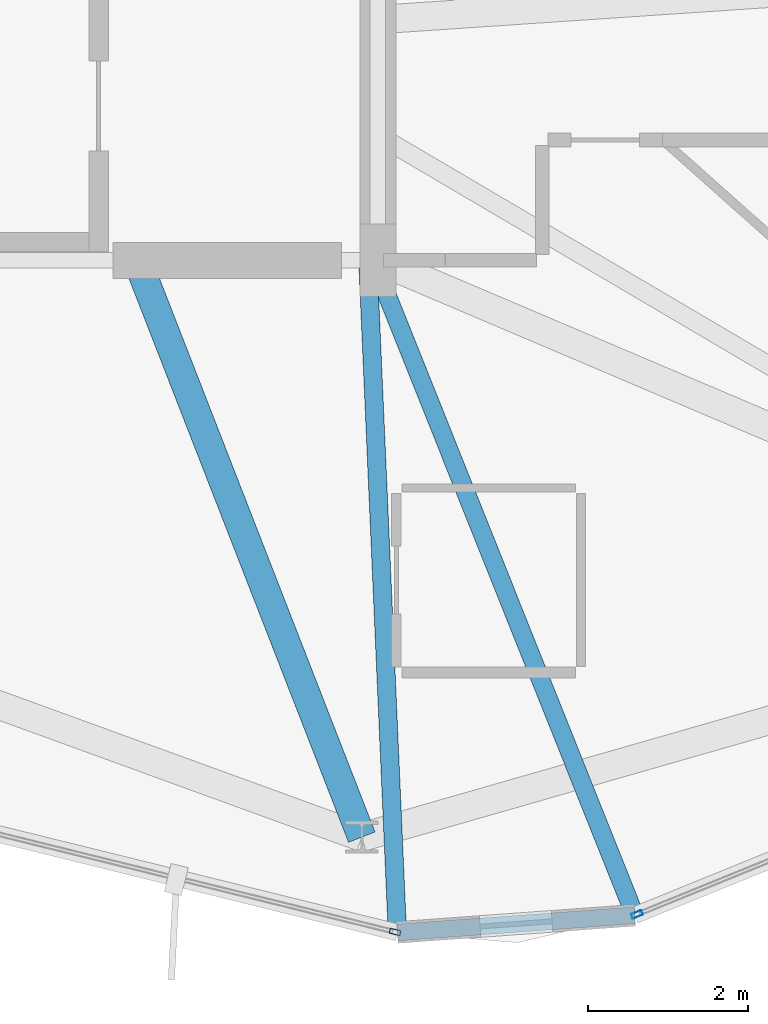
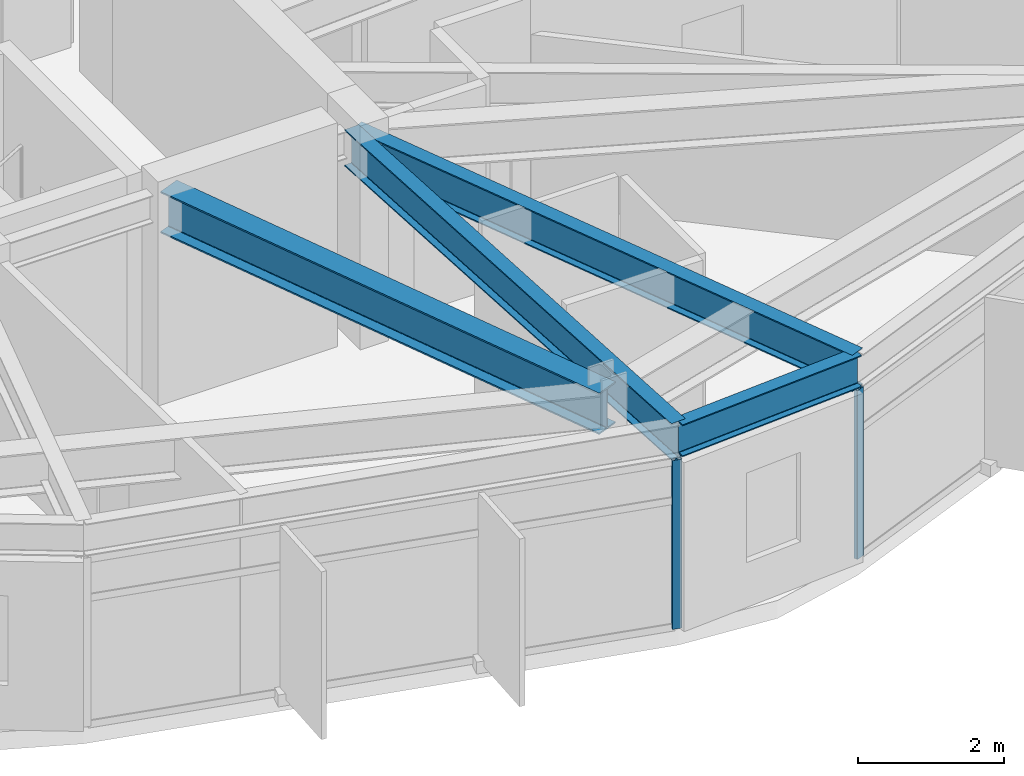
# One storey, part 5 of 26: 4 beams, 2 members, 2 elements without a shape of their own.
"""IFC4 building model written with IfcOpenShell, lengths in metres."""

from ifc_helpers import new_model, si_unit, direction, frame, origin, origin_2d, place, context, subcontext, project, spatial, hollow_rectangle, i_section, extrude, material, layer, layer_set, material_profile, profile_set, type_object, element, aggregate, save


model = new_model("IFC4")

# Units and contexts
model_context = context("Model", 3, precision=1e-05, world=origin(), true_north=direction((0.0, 1.0)))
body_context = subcontext(model_context, "Body", "Model", "MODEL_VIEW")
ifc_project = project(units=[si_unit("LENGTHUNIT", "METRE"), si_unit("AREAUNIT", "SQUARE_METRE"), si_unit("VOLUMEUNIT", "CUBIC_METRE"), si_unit("PLANEANGLEUNIT", "RADIAN"), si_unit("MASSUNIT", "GRAM", prefix="KILO")], contexts=[model_context])

# Site, building, storey
site_placement = place(None, origin())
site = spatial("IfcSite", under=ifc_project, at=site_placement, CompositionType="ELEMENT")
building_placement = place(site_placement, origin())
building = spatial("IfcBuilding", under=site, at=building_placement, Name="Soratama Intermodal Tower", CompositionType="ELEMENT")
storey_placement = place(building_placement, frame((0.0, 0.0, 246.25)))
storey = spatial("IfcBuildingStorey", under=building, at=storey_placement, Name="L62", CompositionType="ELEMENT", Elevation=246.25)

# Beams
ifc_material_1 = material(Name="Structural steel ASTM A992 Grade 50", Category="steel")
ifc_material_profile_1 = material_profile(ifc_material_1, i_section(OverallWidth=0.35498046875, OverallDepth=0.695068359375, WebThickness=0.015380859375, FlangeThickness=0.02490234375, FilletRadius=0.01611328125, at=origin_2d()), Name="W27X146")
ifc_profile_set_1 = profile_set([ifc_material_profile_1], Name="Structural steel ASTM A992 Grade 50")
beam_type_1 = type_object("IfcBeamType", Name="BM-RING-W27X146", PredefinedType="BEAM", material=ifc_profile_set_1)
beam_1_placement = place(storey_placement, frame((41.60009765625, 15.0, 3.1025390625), z_axis=(0.362907405592, -0.931825206231, 0.0), x_axis=(0.931825206231, 0.362907405592, 0.0)))
element("IfcBeam", 1, at=beam_1_placement, inside=storey, type_object=beam_type_1, Name="BM-L62-RAD-08", PredefinedType="BEAM", context=body_context, shape_type="SweptSolid", body=[
    extrude(i_section(OverallWidth=0.35498046875, OverallDepth=0.695068359375, WebThickness=0.015380859375, FlangeThickness=0.02490234375, FilletRadius=0.01611328125, at=origin_2d()), origin(), (0.0, 0.0, 1.0), 7.71484375),
])
ifc_material_2 = material(Name="Structural steel ASTM A992 Grade 50", Category="steel")
ifc_material_profile_2 = material_profile(ifc_material_2, i_section(OverallWidth=0.2099609375, OverallDepth=0.537109375, WebThickness=0.010986328125, FlangeThickness=0.017333984375, FilletRadius=0.012939453125, at=origin_2d()), Name="W21X68")
ifc_profile_set_2 = profile_set([ifc_material_profile_2], Name="Structural steel ASTM A992 Grade 50")
beam_type_2 = type_object("IfcBeamType", Name="BM-SPN-W21X68", PredefinedType="SPANDREL", material=ifc_profile_set_2)
beam_2_placement = place(storey_placement, frame((44.843017578125, 6.623046875, 3.181396484375), z_axis=(0.997398190635, 0.072089176155, 0.0), x_axis=(-0.072089176155, 0.997398190635, 0.0)))
element("IfcBeam", 2, at=beam_2_placement, inside=storey, type_object=beam_type_2, Name="BS-L62-CRN06", PredefinedType="SPANDREL", context=body_context, shape_type="SweptSolid", body=[
    extrude(i_section(OverallWidth=0.2099609375, OverallDepth=0.537109375, WebThickness=0.010986328125, FlangeThickness=0.017333984375, FilletRadius=0.012939453125, at=origin_2d()), origin(), (0.0, 0.0, 1.0), 2.966796875),
])
ifc_material_3 = material(Name="Structural steel ASTM A992 Grade 50", Category="steel")
ifc_material_profile_3 = material_profile(ifc_material_3, i_section(OverallWidth=0.22900390625, OverallDepth=0.612060546875, WebThickness=0.011962890625, FlangeThickness=0.01953125, FilletRadius=0.012939453125, at=origin_2d()), Name="W24X84")
ifc_profile_set_3 = profile_set([ifc_material_profile_3], Name="Structural steel ASTM A992 Grade 50")
beam_type_3 = type_object("IfcBeamType", Name="BM-TIE-W24X84", PredefinedType="BEAM", material=ifc_profile_set_3)
beam_3_placement = place(storey_placement, frame((44.47705078125, 14.9599609375, 3.14404296875), z_axis=(0.043854920562, -0.999037910163, 0.0), x_axis=(0.999037910163, 0.043854920562, 0.0)))
element("IfcBeam", 3, at=beam_3_placement, inside=storey, type_object=beam_type_3, Name="BM-L62-TIE1-06", PredefinedType="BEAM", context=body_context, shape_type="SweptSolid", body=[
    extrude(i_section(OverallWidth=0.22900390625, OverallDepth=0.612060546875, WebThickness=0.011962890625, FlangeThickness=0.01953125, FilletRadius=0.012939453125, at=origin_2d()), origin(), (0.0, 0.0, 1.0), 8.344970703125),
])
beam_4_placement = place(storey_placement, frame((44.556884765625, 14.962890625, 3.14404296875), z_axis=(0.370871066972, -0.928684366016, 0.0), x_axis=(0.928684366016, 0.370871066972, 0.0)))
element("IfcBeam", 4, at=beam_4_placement, inside=storey, type_object=beam_type_3, Name="BM-L62-TIE0-07", PredefinedType="BEAM", context=body_context, shape_type="SweptSolid", body=[
    extrude(i_section(OverallWidth=0.22900390625, OverallDepth=0.612060546875, WebThickness=0.011962890625, FlangeThickness=0.01953125, FilletRadius=0.012939453125, at=origin_2d()), origin(), (0.0, 0.0, 1.0), 8.75),
])

# Curtain wall, member
ifc_material_4 = material(Name="Double-glazed aluminium curtain wall", Category="aluminium")
ifc_layer = layer(ifc_material_4, 0.159912109375)
ifc_layer_set = layer_set([ifc_layer], Name="Double-glazed aluminium curtain wall")
curtain_wall_type = type_object("IfcCurtainWallType", Name="CW-SYS-5", PredefinedType="NOTDEFINED", material=ifc_layer_set)
curtain_wall_1_placement = place(storey_placement, origin())
curtain_wall_1 = element("IfcCurtainWall", 5, at=curtain_wall_1_placement, inside=storey, type_object=curtain_wall_type, Name="L62 Faceted Curtain Wall F06", PredefinedType="NOTDEFINED")
ifc_material_5 = material(Name="Anodised aluminium AA 6063-T6", Category="aluminium")
ifc_material_profile_4 = material_profile(ifc_material_5, hollow_rectangle(XDim=0.06494140625, YDim=0.139892578125, WallThickness=0.0048828125, InnerFilletRadius=0.0048828125, OuterFilletRadius=0.010009765625, at=origin_2d()), Name="CWM140X65X5")
ifc_profile_set_4 = profile_set([ifc_material_profile_4], Name="Anodised aluminium AA 6063-T6")
member_type = type_object("IfcMemberType", Name="MT-CWM-5", PredefinedType="MULLION", material=ifc_profile_set_4)
member_1_placement = place(storey_placement, frame((44.81396484375, 6.6298828125, 0.0), z_axis=(0.0, 0.0, 1.0), x_axis=(0.239547544865, 0.970884634624, 0.0)))
member_1 = element("IfcMember", 6, at=member_1_placement, type_object=member_type, Name="CW-5 mullion 2", PredefinedType="MULLION", context=body_context, shape_type="SweptSolid", body=[
    extrude(hollow_rectangle(XDim=0.06494140625, YDim=0.139892578125, WallThickness=0.0048828125, InnerFilletRadius=0.0048828125, OuterFilletRadius=0.010009765625, at=origin_2d()), origin(), (0.0, 0.0, 1.0), 2.8291015625),
])
aggregate(curtain_wall_1, [member_1])

curtain_wall_2_placement = place(storey_placement, origin())
curtain_wall_2 = element("IfcCurtainWall", 7, at=curtain_wall_2_placement, inside=storey, type_object=curtain_wall_type, Name="L62 Faceted Curtain Wall F07", PredefinedType="NOTDEFINED")
member_2_placement = place(storey_placement, frame((47.82958984375, 6.84814453125, 0.0), z_axis=(0.0, 0.0, 1.0), x_axis=(-0.376881280442, 0.926261572372, 0.0)))
member_2 = element("IfcMember", 8, at=member_2_placement, type_object=member_type, Name="CW-5 mullion 1", PredefinedType="MULLION", context=body_context, shape_type="SweptSolid", body=[
    extrude(hollow_rectangle(XDim=0.06494140625, YDim=0.139892578125, WallThickness=0.0048828125, InnerFilletRadius=0.0048828125, OuterFilletRadius=0.010009765625, at=origin_2d()), origin(), (0.0, 0.0, 1.0), 2.8291015625),
])
aggregate(curtain_wall_2, [member_2])

save(model, "model.ifc")
